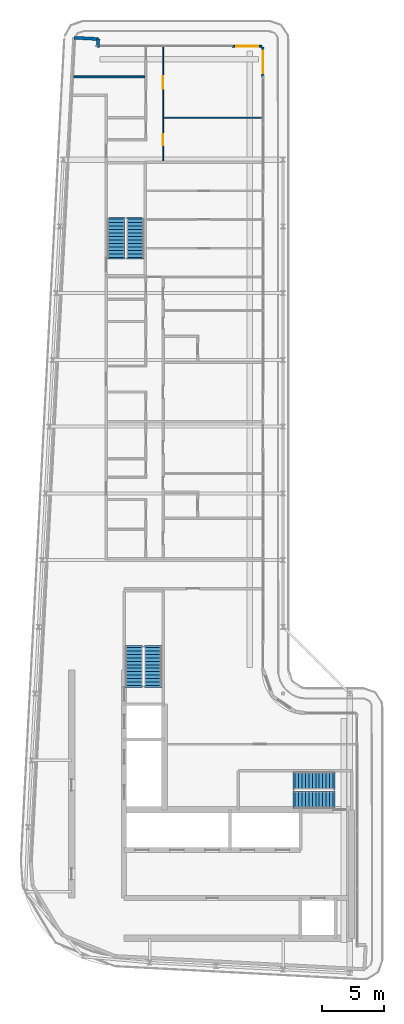
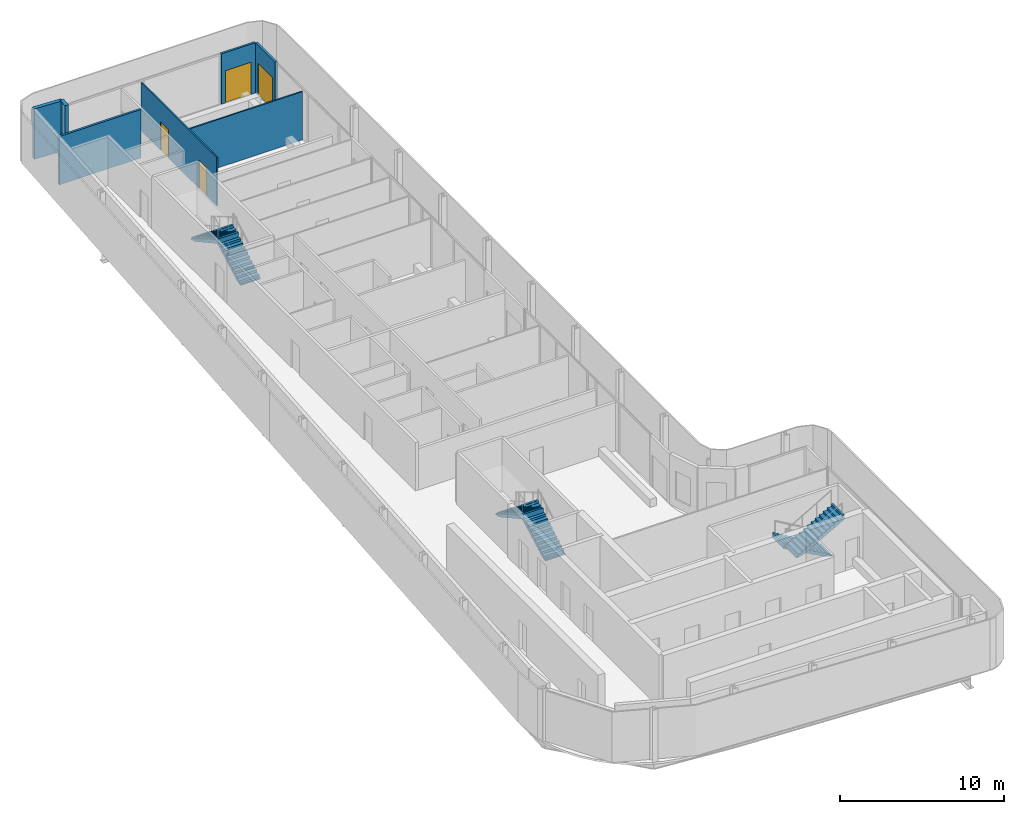
# One storey, part 12 of 18: 7 walls, 6 stair flights, 4 doors, 4 openings, 3 elements without a shape of their own.
"""IFC4 building model written with IfcOpenShell, lengths in metres."""

import ifcopenshell
import ifcopenshell.guid

model = None  # the IFC model being written
_history = None  # IfcOwnerHistory: only IFC2X3 demands one
_inside = {}  # id of a spatial element -> (the spatial element, [elements in it])
_under = {}  # id of a project, library or spatial element -> (it, [spatial elements below it])
_declared = {}  # id of a project -> (the project, [libraries it declares])
_typed = {}  # id of a type object -> (the type object, [elements of that type])
_made_of = {}  # id of a material, layer set ... -> (it, [elements and type objects made of it])


def new_model(schema):
    """Start an empty IFC model of exactly this schema.

    Asked for "IFC4X3", IfcOpenShell would pick the latest addendum, in which some entities
    have other attributes; the version numbers below select the first issue.
    IFC2X3 requires an IfcOwnerHistory on every rooted entity: one is made here for all.
    """
    global model, _history
    if schema == "IFC4X3":
        model = ifcopenshell.file(schema_version=(4, 3, 0, 0))
    else:
        model = ifcopenshell.file(schema=schema)
    _inside.clear()
    _under.clear()
    _declared.clear()
    _typed.clear()
    _made_of.clear()
    _history = None
    if model.schema == "IFC2X3":
        org = make("IfcOrganization", Name="unknown")
        user = make(
            "IfcPersonAndOrganization",
            ThePerson=make("IfcPerson", FamilyName="unknown"),
            TheOrganization=org,
        )
        app = make(
            "IfcApplication",
            ApplicationDeveloper=org,
            Version="unknown",
            ApplicationFullName="unknown",
            ApplicationIdentifier="unknown",
        )
        _history = make(
            "IfcOwnerHistory",
            OwningUser=user,
            OwningApplication=app,
            ChangeAction="ADDED",
            CreationDate=0,
        )
    return model


def make(cls, **values):
    """One entity of the class cls with the attributes given. An attribute that is None is left unset."""
    return model.create_entity(
        cls, **{name: value for name, value in values.items() if value is not None}
    )


def rooted(cls, **values):
    """An entity with a GlobalId (a new one), such as an element, a storey or a relation."""
    return make(cls, GlobalId=ifcopenshell.guid.new(), OwnerHistory=_history, **values)


def si_unit(unit_type, name, prefix=None):
    """IfcSIUnit, for example si_unit("LENGTHUNIT", "METRE", prefix="MILLI")."""
    return make("IfcSIUnit", UnitType=unit_type, Prefix=prefix, Name=name)


def assignment(units):
    """IfcUnitAssignment: the units of a project."""
    return None if units is None else make("IfcUnitAssignment", Units=units)


def point(xyz):
    """IfcCartesianPoint."""
    return None if xyz is None else make("IfcCartesianPoint", Coordinates=xyz)


def direction(xyz):
    """IfcDirection."""
    return None if xyz is None else make("IfcDirection", DirectionRatios=xyz)


def frame(location, z_axis=None, x_axis=None):
    """IfcAxis2Placement3D, a coordinate frame: its origin and axes. An axis left out is left unset."""
    return make(
        "IfcAxis2Placement3D",
        Location=point(location),
        Axis=direction(z_axis),
        RefDirection=direction(x_axis),
    )


def frame_2d(location, x_axis=None):
    """IfcAxis2Placement2D, a coordinate frame in the plane: its origin and x axis."""
    return make(
        "IfcAxis2Placement2D", Location=point(location), RefDirection=direction(x_axis)
    )


def origin():
    """The frame at (0, 0, 0) with its axes left unset."""
    return frame((0.0, 0.0, 0.0))


def place(relative_to, where):
    """IfcLocalPlacement: puts the frame where relative to a parent placement (None: the world)."""
    return make(
        "IfcLocalPlacement", PlacementRelTo=relative_to, RelativePlacement=where
    )


def context(
    kind, dimensions, precision=None, world=None, true_north=None, identifier=None
):
    """IfcGeometricRepresentationContext, for example the 3D "Model" context."""
    return make(
        "IfcGeometricRepresentationContext",
        ContextIdentifier=identifier,
        ContextType=kind,
        CoordinateSpaceDimension=dimensions,
        Precision=precision,
        WorldCoordinateSystem=world,
        TrueNorth=true_north,
    )


def subcontext(parent, identifier, kind, view, scale=None):
    """IfcGeometricRepresentationSubContext, for example "Body" below "Model"."""
    return make(
        "IfcGeometricRepresentationSubContext",
        ContextIdentifier=identifier,
        ContextType=kind,
        ParentContext=parent,
        TargetScale=scale,
        TargetView=view,
    )


def project(units=None, contexts=None):
    """IfcProject with its units and contexts."""
    return rooted(
        "IfcProject",
        Name="project",
        RepresentationContexts=contexts,
        UnitsInContext=assignment(units),
    )


def spatial(cls, under=None, at=None, **own):
    """A site, building, storey or space (cls), placed at a placement, below another one or the project."""
    s = rooted(cls, ObjectPlacement=at, **own)
    if under is not None:
        _under.setdefault(under.id(), (under, []))[1].append(s)
    return s


def polyline(points):
    """IfcPolyline through the points."""
    return make("IfcPolyline", Points=[point(p) for p in points])


def profile(cls, at=None, kind="AREA", **sizes):
    """A parametric profile (cls). Its sizes go by their IFC names, for example OverallWidth=200.0."""
    return make(cls, ProfileType=kind, Position=at, **sizes)


def rectangle(**sizes):
    """IfcRectangleProfileDef."""
    return profile("IfcRectangleProfileDef", **sizes)


def outline(outer, holes=None, kind="AREA"):
    """IfcArbitraryClosedProfileDef: a profile drawn as a closed curve; with holes, ...WithVoids."""
    if holes is None:
        return make("IfcArbitraryClosedProfileDef", ProfileType=kind, OuterCurve=outer)
    return make(
        "IfcArbitraryProfileDefWithVoids",
        ProfileType=kind,
        OuterCurve=outer,
        InnerCurves=holes,
    )


def extrude(swept, where, along, depth):
    """IfcExtrudedAreaSolid: the profile swept, set in the frame where, extruded along a direction by depth."""
    return make(
        "IfcExtrudedAreaSolid",
        SweptArea=swept,
        Position=where,
        ExtrudedDirection=direction(along),
        Depth=depth,
    )


def shape(context_of_items, identifier, shape_type, items):
    """IfcShapeRepresentation: the items that make up one representation, for example the "Body"."""
    return make(
        "IfcShapeRepresentation",
        ContextOfItems=context_of_items,
        RepresentationIdentifier=identifier,
        RepresentationType=shape_type,
        Items=items,
    )


def source(mapping_origin, context_of_items, identifier, shape_type, items):
    """IfcRepresentationMap: a shape defined once, which mapped items show again and again."""
    return make(
        "IfcRepresentationMap",
        MappingOrigin=mapping_origin,
        MappedRepresentation=shape(context_of_items, identifier, shape_type, items),
    )


def transform(
    local_origin,
    x_axis=None,
    y_axis=None,
    z_axis=None,
    scale=None,
    scale2=None,
    scale3=None,
    uniform=True,
):
    """IfcCartesianTransformationOperator3D, or its non-uniform kind. x_axis, y_axis, z_axis: its Axis1, 2, 3."""
    if uniform:
        return make(
            "IfcCartesianTransformationOperator3D",
            Axis1=direction(x_axis),
            Axis2=direction(y_axis),
            LocalOrigin=point(local_origin),
            Scale=scale,
            Axis3=direction(z_axis),
        )
    return make(
        "IfcCartesianTransformationOperator3DnonUniform",
        Axis1=direction(x_axis),
        Axis2=direction(y_axis),
        LocalOrigin=point(local_origin),
        Scale=scale,
        Axis3=direction(z_axis),
        Scale2=scale2,
        Scale3=scale3,
    )


def mapped(mapping_source, mapping_target):
    """IfcMappedItem: shows the shape of a source again, moved by a transform."""
    return make(
        "IfcMappedItem", MappingSource=mapping_source, MappingTarget=mapping_target
    )


def material(Name=None, Category=None):
    """IfcMaterial."""
    return make("IfcMaterial", Name=Name, Category=Category)


def layer(
    of_material, thickness, ventilated=None, Name=None, Category=None, Priority=None
):
    """IfcMaterialLayer: one layer of a wall or slab, of a material (None: an air gap)."""
    return make(
        "IfcMaterialLayer",
        Material=of_material,
        LayerThickness=thickness,
        IsVentilated=ventilated,
        Name=Name,
        Category=Category,
        Priority=Priority,
    )


def layer_set(layers, Name=None):
    """IfcMaterialLayerSet."""
    return make("IfcMaterialLayerSet", MaterialLayers=layers, LayerSetName=Name)


def made_of(thing, what):
    """Note that an element or type object is made of a material, layer set ...; save() writes the relation."""
    if what is not None:
        _made_of.setdefault(what.id(), (what, []))[1].append(thing)
    return thing


def type_object(cls, material=None, **own):
    """A type object (cls), such as IfcWallType, which elements share."""
    return made_of(rooted(cls, **own), material)


def element(
    cls,
    number,
    at=None,
    inside=None,
    cuts=None,
    type_object=None,
    material=None,
    context=None,
    identifier="Body",
    shape_type=None,
    held_by="IfcProductDefinitionShape",
    body=None,
    shapes=None,
    **own,
):
    """One element of the class cls, such as IfcWall. Its Tag is "e" and its number.

    at: its placement. inside: the storey or other place that contains it. cuts: it is an
    opening in that element (IfcRelVoidsElement). A single representation is given by context,
    identifier, shape_type and body (its items); several are given by shapes. held_by: the class
    of the entity that holds the representations. save() writes the other relations.
    """
    e = rooted(cls, Tag="e%d" % number, ObjectPlacement=at, **own)
    if body is not None:
        shapes = [shape(context, identifier, shape_type, body)]
    if shapes is not None:
        e.Representation = make(held_by, Representations=shapes)
    if inside is not None:
        _inside.setdefault(inside.id(), (inside, []))[1].append(e)
    if cuts is not None:
        rooted(
            "IfcRelVoidsElement", RelatingBuildingElement=cuts, RelatedOpeningElement=e
        )
    if type_object is not None:
        _typed.setdefault(type_object.id(), (type_object, []))[1].append(e)
    return made_of(e, material)


def fill(opening, filler):
    """IfcRelFillsElement: the door or window that sits in an opening."""
    return rooted(
        "IfcRelFillsElement",
        RelatingOpeningElement=opening,
        RelatedBuildingElement=filler,
    )


def aggregate(whole, parts):
    """IfcRelAggregates: a whole, such as a stair, and the parts it consists of."""
    return rooted("IfcRelAggregates", RelatingObject=whole, RelatedObjects=parts)


def save(model, path):
    """Write the relations noted so far, then the file.

    IfcRelAggregates (storeys below a building ...), IfcRelContainedInSpatialStructure (elements
    in a storey), IfcRelDefinesByType, IfcRelAssociatesMaterial and IfcRelDeclares: one each for
    every whole, place, type object, material and project.
    """
    for whole, parts in _under.values():
        aggregate(whole, parts)
    for where, things in _inside.values():
        rooted(
            "IfcRelContainedInSpatialStructure",
            RelatedElements=things,
            RelatingStructure=where,
        )
    for kind, things in _typed.values():
        rooted("IfcRelDefinesByType", RelatedObjects=things, RelatingType=kind)
    for what, things in _made_of.values():
        rooted("IfcRelAssociatesMaterial", RelatedObjects=things, RelatingMaterial=what)
    for by, libraries in _declared.values():
        rooted("IfcRelDeclares", RelatingContext=by, RelatedDefinitions=libraries)
    model.write(path)


model = new_model("IFC4")

# Units and contexts
model_context = context("Model", 3, precision=1e-05, world=origin(), true_north=direction((0.0, 1.0)))
body_context = subcontext(model_context, "Body", "Model", "MODEL_VIEW")
ifc_project = project(units=[si_unit("LENGTHUNIT", "METRE"), si_unit("AREAUNIT", "SQUARE_METRE"), si_unit("VOLUMEUNIT", "CUBIC_METRE"), si_unit("PLANEANGLEUNIT", "RADIAN"), si_unit("MASSUNIT", "GRAM", prefix="KILO")], contexts=[model_context])

# Site, building, storey
site_placement = place(None, origin())
site = spatial("IfcSite", under=ifc_project, at=site_placement, CompositionType="ELEMENT")
building_placement = place(site_placement, origin())
building = spatial("IfcBuilding", under=site, at=building_placement, Name="Kheshtan School and Residences Tower", CompositionType="ELEMENT")
storey_placement = place(building_placement, frame((0.0, 0.0, 377.300048828125)))
storey = spatial("IfcBuildingStorey", under=building, at=storey_placement, Name="L89", CompositionType="ELEMENT", Elevation=377.300048828125)

# Walls
ifc_material_1 = material(Name="Concrete C40/50 with ceramic cladding and mineral wool insulation", Category="concrete")
ifc_layer_1 = layer(ifc_material_1, 0.25)
ifc_layer_set_1 = layer_set([ifc_layer_1], Name="External wall 250 ceramic clad")
wall_type_1 = type_object("IfcWallType", Name="External wall 250 ceramic clad", PredefinedType="SOLIDWALL", material=ifc_layer_set_1)
wall_1_placement = place(storey_placement, frame((30.705078125, 98.6640625, 0.0), z_axis=(0.0, 0.0, 1.0), x_axis=(0.998577785791, -0.053314216913, 0.0)))
element("IfcWall", 1, at=wall_1_placement, inside=storey, type_object=wall_type_1, Name="External wall L89 5", PredefinedType="SOLIDWALL", context=body_context, shape_type="SweptSolid", body=[
    extrude(rectangle(XDim=1.95068359375, YDim=0.25, at=frame_2d((0.975341796875, 0.0))), origin(), (0.0, 0.0, 1.0), 3.75),
])
wall_2_placement = place(storey_placement, frame((32.653076171875, 98.56005859375, 0.0), z_axis=(0.0, 0.0, 1.0), x_axis=(-0.054093451632, -0.998535877418, 0.0)))
element("IfcWall", 2, at=wall_2_placement, inside=storey, type_object=wall_type_1, Name="External wall L89 6", PredefinedType="SOLIDWALL", context=body_context, shape_type="SweptSolid", body=[
    extrude(rectangle(XDim=0.66796875, YDim=0.25, at=frame_2d((0.333984375, 0.0))), origin(), (0.0, 0.0, 1.0), 3.75),
])

# Wall, opening, door
ifc_material_2 = material(Name="Aluminium frame wall with insulated infill", Category="aluminium")
ifc_layer_2 = layer(ifc_material_2, 0.14990234375)
ifc_layer_set_2 = layer_set([ifc_layer_2], Name="Glazing frame wall 150")
wall_type_2 = type_object("IfcWallType", Name="Glazing frame wall 150", PredefinedType="SOLIDWALL", material=ifc_layer_set_2)
wall_3_placement = place(storey_placement, frame((43.5, 97.97509765625, 0.0), z_axis=(0.0, 0.0, 1.0), x_axis=(1.0, 0.0, 0.0)))
wall_3 = element("IfcWall", 3, at=wall_3_placement, inside=storey, type_object=wall_type_2, Name="Balcony door wall L89 7.1", PredefinedType="SOLIDWALL", context=body_context, shape_type="SweptSolid", body=[
    extrude(rectangle(XDim=2.39990234375, YDim=0.14990234375, at=frame_2d((1.199951171875, 0.0))), origin(), (0.0, 0.0, 1.0), 3.75),
])
opening_1_placement = place(wall_3_placement, frame((0.300048828125, 0.0, 0.0)))
opening_1 = element("IfcOpeningElement", 4, at=opening_1_placement, cuts=wall_3, Name="Opening BD", PredefinedType="OPENING", context=body_context, shape_type="SweptSolid", body=[
    extrude(rectangle(XDim=1.800048828125, YDim=2.39990234375, at=frame_2d((0.89990234375, 1.199951171875))), frame((0.0, 0.0849609375, 0.0), z_axis=(0.0, -1.0, 0.0), x_axis=(1.0, 0.0, 0.0)), (0.0, 0.0, 1.0), 0.169921875),
])
ifc_material_3 = material(Name="Clear low-e glass in thermally broken aluminium frame", Category="aluminium")
door_type_1 = type_object("IfcDoorType", Name="Balcony sliding door", OperationType="SLIDING_TO_LEFT", PredefinedType="DOOR", material=ifc_material_3)
shared_shape_1 = source(origin(), body_context, "Body", "SweptSolid", [
    extrude(rectangle(XDim=1.800048828125, YDim=2.39990234375, at=frame_2d((0.89990234375, 1.199951171875))), frame((0.0, 0.02490234375, 0.0), z_axis=(0.0, -1.0, 0.0), x_axis=(1.0, 0.0, 0.0)), (0.0, 0.0, 1.0), 0.050048828125),
])
door_1_placement = place(opening_1_placement, origin())
door_1 = element("IfcDoor", 5, at=door_1_placement, inside=storey, type_object=door_type_1, Name="Balcony door L89 7.1", OperationType="SLIDING_TO_LEFT", OverallHeight=2.39990234375, OverallWidth=1.800048828125, PredefinedType="DOOR", context=body_context, shape_type="MappedRepresentation", body=[
    mapped(shared_shape_1, transform((0.0, 0.0, 0.0), x_axis=(1.0, 0.0, 0.0), y_axis=(0.0, 1.0, 0.0), z_axis=(0.0, 0.0, 1.0), scale=1.0)),
])
fill(opening_1, door_1)

wall_4_placement = place(storey_placement, frame((45.97509765625, 97.89990234375, 0.0), z_axis=(0.0, 0.0, 1.0), x_axis=(0.0, -1.0, 0.0)))
wall_4 = element("IfcWall", 6, at=wall_4_placement, inside=storey, type_object=wall_type_2, Name="Balcony door wall L89 8.1", PredefinedType="SOLIDWALL", context=body_context, shape_type="SweptSolid", body=[
    extrude(rectangle(XDim=2.39990234375, YDim=0.14990234375, at=frame_2d((1.199951171875, 0.0))), origin(), (0.0, 0.0, 1.0), 3.75),
])
opening_2_placement = place(wall_4_placement, frame((0.300048828125, 0.0, 0.0)))
opening_2 = element("IfcOpeningElement", 7, at=opening_2_placement, cuts=wall_4, Name="Opening BD", PredefinedType="OPENING", context=body_context, shape_type="SweptSolid", body=[
    extrude(rectangle(XDim=1.800048828125, YDim=2.39990234375, at=frame_2d((0.89990234375, 1.199951171875))), frame((0.0, 0.0849609375, 0.0), z_axis=(0.0, -1.0, 0.0), x_axis=(1.0, 0.0, 0.0)), (0.0, 0.0, 1.0), 0.169921875),
])
door_2_placement = place(opening_2_placement, origin())
door_2 = element("IfcDoor", 8, at=door_2_placement, inside=storey, type_object=door_type_1, Name="Balcony door L89 8.1", OperationType="SLIDING_TO_LEFT", OverallHeight=2.39990234375, OverallWidth=1.800048828125, PredefinedType="DOOR", context=body_context, shape_type="MappedRepresentation", body=[
    mapped(shared_shape_1, transform((0.0, 0.0, 0.0), x_axis=(1.0, 0.0, 0.0), y_axis=(0.0, 1.0, 0.0), z_axis=(0.0, 0.0, 1.0), scale=1.0)),
])
fill(opening_2, door_2)

# Wall, openings, doors
ifc_material_4 = material(Name="Gypsum board on steel studs", Category="steel")
ifc_layer_3 = layer(ifc_material_4, 0.10009765625)
ifc_layer_set_3 = layer_set([ifc_layer_3], Name="Gypsum partition 100")
wall_type_3 = type_object("IfcWallType", Name="Gypsum partition 100", PredefinedType="PARTITIONING", material=ifc_layer_set_3)
wall_5_placement = place(storey_placement, frame((37.89990234375, 88.699951171875, 0.0), z_axis=(0.0, 0.0, 1.0), x_axis=(0.0, 1.0, 0.0)))
wall_5 = element("IfcWall", 9, at=wall_5_placement, inside=storey, type_object=wall_type_3, Name="Partition L89-030", PredefinedType="PARTITIONING", context=body_context, shape_type="SweptSolid", body=[
    extrude(rectangle(XDim=9.199951171875, YDim=0.10009765625, at=frame_2d((4.60009765625, 0.0))), origin(), (0.0, 0.0, 1.0), 3.599853515625),
])
opening_3_placement = place(wall_5_placement, frame((1.25, 0.0, 0.0)))
opening_3 = element("IfcOpeningElement", 10, at=opening_3_placement, cuts=wall_5, Name="Opening D87-024", PredefinedType="OPENING", context=body_context, shape_type="SweptSolid", body=[
    extrude(rectangle(XDim=0.89990234375, YDim=2.10009765625, at=frame_2d((0.449951171875, 1.050048828125))), frame((0.0, 0.06005859375, 0.0), z_axis=(0.0, -1.0, 0.0), x_axis=(1.0, 0.0, 0.0)), (0.0, 0.0, 1.0), 0.1201171875),
])
opening_4_placement = place(wall_5_placement, frame((5.85009765625, 0.0, 0.0)))
opening_4 = element("IfcOpeningElement", 11, at=opening_4_placement, cuts=wall_5, Name="Opening D87-027", PredefinedType="OPENING", context=body_context, shape_type="SweptSolid", body=[
    extrude(rectangle(XDim=1.0, YDim=2.10009765625, at=frame_2d((0.5, 1.050048828125))), frame((0.0, 0.06005859375, 0.0), z_axis=(0.0, -1.0, 0.0), x_axis=(1.0, 0.0, 0.0)), (0.0, 0.0, 1.0), 0.1201171875),
])
ifc_material_5 = material(Name="Veneered timber door leaf", Category="wood")
door_type_2 = type_object("IfcDoorType", Name="Door 1000 x 2100", OperationType="SINGLE_SWING_LEFT", PredefinedType="DOOR", material=ifc_material_5)
shared_shape_2 = source(origin(), body_context, "Body", "SweptSolid", [
    extrude(rectangle(XDim=1.0, YDim=2.10009765625, at=frame_2d((0.5, 1.050048828125))), frame((0.0, 0.02490234375, 0.0), z_axis=(0.0, -1.0, 0.0), x_axis=(1.0, 0.0, 0.0)), (0.0, 0.0, 1.0), 0.050048828125),
])
door_3_placement = place(opening_4_placement, origin())
door_3 = element("IfcDoor", 12, at=door_3_placement, inside=storey, type_object=door_type_2, Name="Door D87-027", OperationType="SINGLE_SWING_RIGHT", OverallHeight=2.10009765625, OverallWidth=1.0, PredefinedType="DOOR", context=body_context, shape_type="MappedRepresentation", body=[
    mapped(shared_shape_2, transform((0.0, 0.0, 0.0), x_axis=(1.0, 0.0, 0.0), y_axis=(0.0, 1.0, 0.0), z_axis=(0.0, 0.0, 1.0), scale=1.0)),
])
fill(opening_4, door_3)
door_type_3 = type_object("IfcDoorType", Name="Door 900 x 2100", OperationType="SINGLE_SWING_LEFT", PredefinedType="DOOR", material=ifc_material_5)
shared_shape_3 = source(origin(), body_context, "Body", "SweptSolid", [
    extrude(rectangle(XDim=0.89990234375, YDim=2.10009765625, at=frame_2d((0.449951171875, 1.050048828125))), frame((0.0, 0.02490234375, 0.0), z_axis=(0.0, -1.0, 0.0), x_axis=(1.0, 0.0, 0.0)), (0.0, 0.0, 1.0), 0.050048828125),
])
door_4_placement = place(opening_3_placement, origin())
door_4 = element("IfcDoor", 13, at=door_4_placement, inside=storey, type_object=door_type_3, Name="Door D87-024", OperationType="SINGLE_SWING_LEFT", OverallHeight=2.10009765625, OverallWidth=0.89990234375, PredefinedType="DOOR", context=body_context, shape_type="MappedRepresentation", body=[
    mapped(shared_shape_3, transform((0.0, 0.0, 0.0), x_axis=(1.0, 0.0, 0.0), y_axis=(0.0, 1.0, 0.0), z_axis=(0.0, 0.0, 1.0), scale=1.0)),
])
fill(opening_3, door_4)

# Walls
wall_6_placement = place(storey_placement, frame((37.949951171875, 92.199951171875, 0.0), z_axis=(0.0, 0.0, 1.0), x_axis=(1.0, 0.0, 0.0)))
element("IfcWall", 14, at=wall_6_placement, inside=storey, type_object=wall_type_3, Name="Partition L89-031", PredefinedType="PARTITIONING", context=body_context, shape_type="SweptSolid", body=[
    extrude(rectangle(XDim=7.949951171875, YDim=0.10009765625, at=frame_2d((3.97509765625, 0.0))), origin(), (0.0, 0.0, 1.0), 3.599853515625),
])
ifc_material_6 = material(Name="Moisture-resistant gypsum board on steel studs", Category="steel")
ifc_layer_4 = layer(ifc_material_6, 0.14990234375)
ifc_layer_set_4 = layer_set([ifc_layer_4], Name="Wet-room partition 150")
wall_type_4 = type_object("IfcWallType", Name="Wet-room partition 150", PredefinedType="PARTITIONING", material=ifc_layer_set_4)
wall_7_placement = place(storey_placement, frame((30.6640625, 95.5, 0.0), z_axis=(0.0, 0.0, 1.0), x_axis=(1.0, 0.0, 0.0)))
element("IfcWall", 15, at=wall_7_placement, inside=storey, type_object=wall_type_4, Name="Partition L89-001", PredefinedType="PARTITIONING", context=body_context, shape_type="SweptSolid", body=[
    extrude(rectangle(XDim=5.760986328125, YDim=0.14990234375, at=frame_2d((2.88037109375, 0.0))), origin(), (0.0, 0.0, 1.0), 3.599853515625),
])

# Stair, stair flights
ifc_material_7 = material(Name="Concrete C40/50", Category="concrete")
stair_type = type_object("IfcStairType", Name="Exit stair, half-turn", PredefinedType="HALF_TURN_STAIR", material=ifc_material_7)
stair_1_placement = place(storey_placement, origin())
stair_1 = element("IfcStair", 16, at=stair_1_placement, inside=storey, type_object=stair_type, Name="L89 Protected Exit Stair ST1", PredefinedType="HALF_TURN_STAIR")
ifc_layer_5 = layer(ifc_material_7, 0.14990234375)
ifc_layer_set_5 = layer_set([ifc_layer_5], Name="Stair flight 1400 Concrete C40/50")
stair_flight_type = type_object("IfcStairFlightType", Name="Stair flight 1400 Concrete C40/50", PredefinedType="STRAIGHT", material=ifc_layer_set_5)
stair_flight_1_placement = place(storey_placement, frame((51.64990234375, 38.550048828125, 0.0), z_axis=(0.0, 0.0, 1.0), x_axis=(-1.0, 0.0, 0.0)))
stair_flight_1 = element("IfcStairFlight", 17, at=stair_flight_1_placement, type_object=stair_flight_type, Name="ST1 flight 1", NumberOfRisers=12, NumberOfTreads=11, PredefinedType="STRAIGHT", RiserHeight=0.1625, TreadLength=0.28, context=body_context, shape_type="SweptSolid", body=[
    extrude(outline(polyline([(-0.14990234375, -0.10009765625), (-0.14990234375, 0.0), (0.0, 0.0), (0.0, 0.16259765625), (0.280029296875, 0.16259765625), (0.280029296875, 0.324951171875), (0.56005859375, 0.324951171875), (0.56005859375, 0.487548828125), (0.840087890625, 0.487548828125), (0.840087890625, 0.64990234375), (1.1201171875, 0.64990234375), (1.1201171875, 0.8125), (1.39990234375, 0.8125), (1.39990234375, 0.97509765625), (1.679931640625, 0.97509765625), (1.679931640625, 1.137451171875), (1.9599609375, 1.137451171875), (1.9599609375, 1.300048828125), (2.239990234375, 1.300048828125), (2.239990234375, 1.46240234375), (2.52001953125, 1.46240234375), (2.52001953125, 1.625), (2.800048828125, 1.625), (2.800048828125, 1.78759765625), (3.080078125, 1.78759765625), (3.080078125, 1.949951171875), (3.080078125, 1.969970703125), (3.22998046875, 1.969970703125), (3.22998046875, 1.6142578125), (0.298583984375, 0.0), (-0.14990234375, -0.10009765625)])), frame((0.0, 0.699951171875, 0.0), z_axis=(0.0, -1.0, 0.0), x_axis=(1.0, 0.0, 0.0)), (0.0, 0.0, 1.0), 1.39990234375),
])
stair_flight_2_placement = place(storey_placement, frame((48.570068359375, 37.0, 1.949951171875), z_axis=(0.0, 0.0, 1.0), x_axis=(1.0, 0.0, 0.0)))
stair_flight_2 = element("IfcStairFlight", 18, at=stair_flight_2_placement, type_object=stair_flight_type, Name="ST1 flight 2", NumberOfRisers=12, NumberOfTreads=11, PredefinedType="STRAIGHT", RiserHeight=0.1625, TreadLength=0.28, context=body_context, shape_type="SweptSolid", body=[
    extrude(outline(polyline([(-0.14990234375, -0.10009765625), (-0.14990234375, 0.0), (0.0, 0.0), (0.0, 0.16259765625), (0.280029296875, 0.16259765625), (0.280029296875, 0.324951171875), (0.56005859375, 0.324951171875), (0.56005859375, 0.487548828125), (0.840087890625, 0.487548828125), (0.840087890625, 0.64990234375), (1.1201171875, 0.64990234375), (1.1201171875, 0.8125), (1.39990234375, 0.8125), (1.39990234375, 0.97509765625), (1.679931640625, 0.97509765625), (1.679931640625, 1.137451171875), (1.9599609375, 1.137451171875), (1.9599609375, 1.300048828125), (2.239990234375, 1.300048828125), (2.239990234375, 1.46240234375), (2.52001953125, 1.46240234375), (2.52001953125, 1.625), (2.800048828125, 1.625), (2.800048828125, 1.78759765625), (3.080078125, 1.78759765625), (3.080078125, 1.949951171875), (3.080078125, 1.969970703125), (3.22998046875, 1.969970703125), (3.22998046875, 1.6142578125), (0.298583984375, 0.0), (-0.14990234375, -0.10009765625)])), frame((0.0, 0.699951171875, 0.0), z_axis=(0.0, -1.0, 0.0), x_axis=(1.0, 0.0, 0.0)), (0.0, 0.0, 1.0), 1.39990234375),
])
aggregate(stair_1, [stair_flight_1, stair_flight_2])

stair_2_placement = place(storey_placement, origin())
stair_2 = element("IfcStair", 19, at=stair_2_placement, inside=storey, type_object=stair_type, Name="L89 Protected Exit Stair ST2", PredefinedType="HALF_TURN_STAIR")
stair_flight_3_placement = place(storey_placement, frame((37.10009765625, 46.25, 0.0), z_axis=(0.0, 0.0, 1.0), x_axis=(0.0, 1.0, 0.0)))
stair_flight_3 = element("IfcStairFlight", 20, at=stair_flight_3_placement, type_object=stair_flight_type, Name="ST2 flight 1", NumberOfRisers=12, NumberOfTreads=11, PredefinedType="STRAIGHT", RiserHeight=0.1625, TreadLength=0.28, context=body_context, shape_type="SweptSolid", body=[
    extrude(outline(polyline([(-0.14990234375, -0.10009765625), (-0.14990234375, 0.0), (0.0, 0.0), (0.0, 0.16259765625), (0.280029296875, 0.16259765625), (0.280029296875, 0.324951171875), (0.56005859375, 0.324951171875), (0.56005859375, 0.487548828125), (0.840087890625, 0.487548828125), (0.840087890625, 0.64990234375), (1.1201171875, 0.64990234375), (1.1201171875, 0.8125), (1.39990234375, 0.8125), (1.39990234375, 0.97509765625), (1.679931640625, 0.97509765625), (1.679931640625, 1.137451171875), (1.9599609375, 1.137451171875), (1.9599609375, 1.300048828125), (2.239990234375, 1.300048828125), (2.239990234375, 1.46240234375), (2.52001953125, 1.46240234375), (2.52001953125, 1.625), (2.800048828125, 1.625), (2.800048828125, 1.78759765625), (3.080078125, 1.78759765625), (3.080078125, 1.949951171875), (3.080078125, 1.969970703125), (3.22998046875, 1.969970703125), (3.22998046875, 1.6142578125), (0.298583984375, 0.0), (-0.14990234375, -0.10009765625)])), frame((0.0, 0.699951171875, 0.0), z_axis=(0.0, -1.0, 0.0), x_axis=(1.0, 0.0, 0.0)), (0.0, 0.0, 1.0), 1.39990234375),
])
stair_flight_4_placement = place(storey_placement, frame((35.550048828125, 49.330078125, 1.949951171875), z_axis=(0.0, 0.0, 1.0), x_axis=(0.0, -1.0, 0.0)))
stair_flight_4 = element("IfcStairFlight", 21, at=stair_flight_4_placement, type_object=stair_flight_type, Name="ST2 flight 2", NumberOfRisers=12, NumberOfTreads=11, PredefinedType="STRAIGHT", RiserHeight=0.1625, TreadLength=0.28, context=body_context, shape_type="SweptSolid", body=[
    extrude(outline(polyline([(-0.14990234375, -0.10009765625), (-0.14990234375, 0.0), (0.0, 0.0), (0.0, 0.16259765625), (0.280029296875, 0.16259765625), (0.280029296875, 0.324951171875), (0.56005859375, 0.324951171875), (0.56005859375, 0.487548828125), (0.840087890625, 0.487548828125), (0.840087890625, 0.64990234375), (1.1201171875, 0.64990234375), (1.1201171875, 0.8125), (1.39990234375, 0.8125), (1.39990234375, 0.97509765625), (1.679931640625, 0.97509765625), (1.679931640625, 1.137451171875), (1.9599609375, 1.137451171875), (1.9599609375, 1.300048828125), (2.239990234375, 1.300048828125), (2.239990234375, 1.46240234375), (2.52001953125, 1.46240234375), (2.52001953125, 1.625), (2.800048828125, 1.625), (2.800048828125, 1.78759765625), (3.080078125, 1.78759765625), (3.080078125, 1.949951171875), (3.080078125, 1.969970703125), (3.22998046875, 1.969970703125), (3.22998046875, 1.6142578125), (0.298583984375, 0.0), (-0.14990234375, -0.10009765625)])), frame((0.0, 0.699951171875, 0.0), z_axis=(0.0, -1.0, 0.0), x_axis=(1.0, 0.0, 0.0)), (0.0, 0.0, 1.0), 1.39990234375),
])
aggregate(stair_2, [stair_flight_3, stair_flight_4])

stair_3_placement = place(storey_placement, origin())
stair_3 = element("IfcStair", 22, at=stair_3_placement, inside=storey, type_object=stair_type, Name="L89 Protected Exit Stair ST3", PredefinedType="HALF_TURN_STAIR")
stair_flight_5_placement = place(storey_placement, frame((35.64990234375, 80.89990234375, 0.0), z_axis=(0.0, 0.0, 1.0), x_axis=(0.0, 1.0, 0.0)))
stair_flight_5 = element("IfcStairFlight", 23, at=stair_flight_5_placement, type_object=stair_flight_type, Name="ST3 flight 1", NumberOfRisers=12, NumberOfTreads=11, PredefinedType="STRAIGHT", RiserHeight=0.1625, TreadLength=0.28, context=body_context, shape_type="SweptSolid", body=[
    extrude(outline(polyline([(-0.14990234375, -0.10009765625), (-0.14990234375, 0.0), (0.0, 0.0), (0.0, 0.16259765625), (0.280029296875, 0.16259765625), (0.280029296875, 0.324951171875), (0.56005859375, 0.324951171875), (0.56005859375, 0.487548828125), (0.840087890625, 0.487548828125), (0.840087890625, 0.64990234375), (1.1201171875, 0.64990234375), (1.1201171875, 0.8125), (1.39990234375, 0.8125), (1.39990234375, 0.97509765625), (1.679931640625, 0.97509765625), (1.679931640625, 1.137451171875), (1.9599609375, 1.137451171875), (1.9599609375, 1.300048828125), (2.239990234375, 1.300048828125), (2.239990234375, 1.46240234375), (2.52001953125, 1.46240234375), (2.52001953125, 1.625), (2.800048828125, 1.625), (2.800048828125, 1.78759765625), (3.080078125, 1.78759765625), (3.080078125, 1.949951171875), (3.080078125, 1.969970703125), (3.22998046875, 1.969970703125), (3.22998046875, 1.6142578125), (0.298583984375, 0.0), (-0.14990234375, -0.10009765625)])), frame((0.0, 0.699951171875, 0.0), z_axis=(0.0, -1.0, 0.0), x_axis=(1.0, 0.0, 0.0)), (0.0, 0.0, 1.0), 1.39990234375),
])
stair_flight_6_placement = place(storey_placement, frame((34.10009765625, 83.97998046875, 1.949951171875), z_axis=(0.0, 0.0, 1.0), x_axis=(0.0, -1.0, 0.0)))
stair_flight_6 = element("IfcStairFlight", 24, at=stair_flight_6_placement, type_object=stair_flight_type, Name="ST3 flight 2", NumberOfRisers=12, NumberOfTreads=11, PredefinedType="STRAIGHT", RiserHeight=0.1625, TreadLength=0.28, context=body_context, shape_type="SweptSolid", body=[
    extrude(outline(polyline([(-0.14990234375, -0.10009765625), (-0.14990234375, 0.0), (0.0, 0.0), (0.0, 0.16259765625), (0.280029296875, 0.16259765625), (0.280029296875, 0.324951171875), (0.56005859375, 0.324951171875), (0.56005859375, 0.487548828125), (0.840087890625, 0.487548828125), (0.840087890625, 0.64990234375), (1.1201171875, 0.64990234375), (1.1201171875, 0.8125), (1.39990234375, 0.8125), (1.39990234375, 0.97509765625), (1.679931640625, 0.97509765625), (1.679931640625, 1.137451171875), (1.9599609375, 1.137451171875), (1.9599609375, 1.300048828125), (2.239990234375, 1.300048828125), (2.239990234375, 1.46240234375), (2.52001953125, 1.46240234375), (2.52001953125, 1.625), (2.800048828125, 1.625), (2.800048828125, 1.78759765625), (3.080078125, 1.78759765625), (3.080078125, 1.949951171875), (3.080078125, 1.969970703125), (3.22998046875, 1.969970703125), (3.22998046875, 1.6142578125), (0.298583984375, 0.0), (-0.14990234375, -0.10009765625)])), frame((0.0, 0.699951171875, 0.0), z_axis=(0.0, -1.0, 0.0), x_axis=(1.0, 0.0, 0.0)), (0.0, 0.0, 1.0), 1.39990234375),
])
aggregate(stair_3, [stair_flight_5, stair_flight_6])

save(model, "model.ifc")
